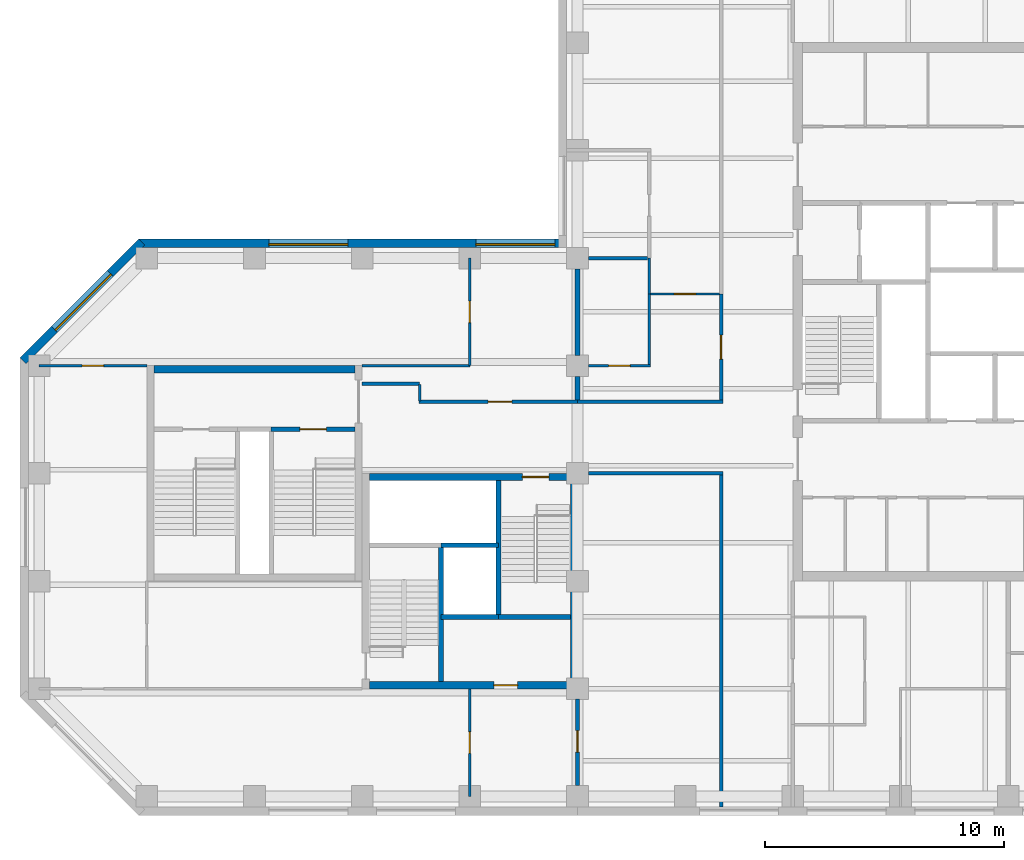
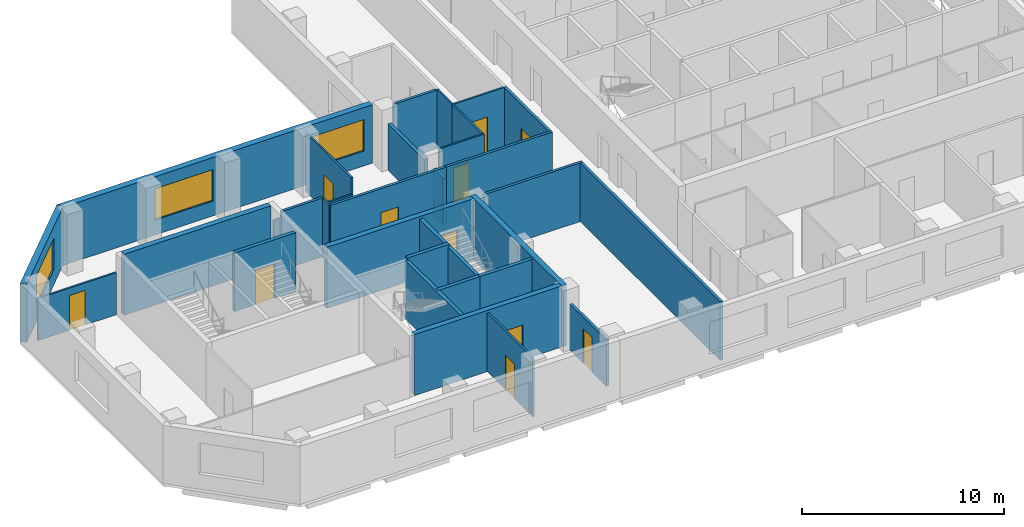
# One storey, part 3 of 10: 31 walls, 11 doors, 3 windows, 14 openings.
"""IFC4 building model written with IfcOpenShell, lengths in metres."""

from ifc_helpers import new_model, si_unit, direction, frame, frame_2d, origin, place, context, subcontext, project, spatial, rectangle, extrude, material, layer, layer_set, constituent, constituent_set, type_object, element, fill, save


model = new_model("IFC4")

# Units and contexts
model_context = context("Model", 3, precision=1e-05, world=origin(), true_north=direction((0.0, 1.0)))
body_context = subcontext(model_context, "Body", "Model", "MODEL_VIEW")
ifc_project = project(units=[si_unit("LENGTHUNIT", "METRE"), si_unit("AREAUNIT", "SQUARE_METRE"), si_unit("VOLUMEUNIT", "CUBIC_METRE"), si_unit("PLANEANGLEUNIT", "RADIAN"), si_unit("MASSUNIT", "GRAM", prefix="KILO")], contexts=[model_context])

# Site, building, storey
site_placement = place(None, origin())
site = spatial("IfcSite", under=ifc_project, at=site_placement, CompositionType="ELEMENT")
building_placement = place(site_placement, origin())
building = spatial("IfcBuilding", under=site, at=building_placement, Name="Quoin Convention Tower", CompositionType="ELEMENT")
storey_placement = place(building_placement, frame((0.0, 0.0, 195.800048828125)))
storey = spatial("IfcBuildingStorey", under=building, at=storey_placement, Name="L51", CompositionType="ELEMENT", Elevation=195.800048828125)

# Wall
ifc_material_1 = material(Name="Plasterboard")
ifc_layer_1 = layer(ifc_material_1, 0.012451171875, Name="Finish")
ifc_material_2 = material(Name="Steel stud framing", Category="steel")
ifc_layer_2 = layer(ifc_material_2, 0.125, Name="Structure")
ifc_layer_3 = layer(ifc_material_1, 0.012451171875, Name="Finish")
ifc_layer_set_1 = layer_set([ifc_layer_1, ifc_layer_2, ifc_layer_3], Name="Steel stud framing")
wall_type_1 = type_object("IfcWallType", Name="Acoustic partition 150", PredefinedType="PARTITIONING", material=ifc_layer_set_1)
wall_1_placement = place(storey_placement, frame((36.449951171875, 63.0, 0.0), z_axis=(0.0, 0.0, 1.0), x_axis=(1.0, 0.0, 0.0)))
element("IfcWall", 1, at=wall_1_placement, inside=storey, type_object=wall_type_1, Name="pw-L51-026", PredefinedType="PARTITIONING", context=body_context, shape_type="SweptSolid", body=[
    extrude(rectangle(XDim=2.47509765625, YDim=0.14990234375, at=frame_2d((1.237548828125, 0.0))), origin(), (0.0, 0.0, 1.0), 3.550048828125),
])

# Wall, openings, windows
ifc_material_3 = material(Name="Brick masonry", Category="masonry")
ifc_layer_4 = layer(ifc_material_3, 0.35009765625)
ifc_layer_set_2 = layer_set([ifc_layer_4], Name="Brick masonry")
wall_type_2 = type_object("IfcWallType", Name="Brick facade wall", PredefinedType="STANDARD", material=ifc_layer_set_2)
wall_2_placement = place(storey_placement, frame((35.550048828125, 63.625, 0.0), z_axis=(0.0, 0.0, 1.0), x_axis=(-1.0, 0.0, 0.0)))
wall_2 = element("IfcWall", 2, at=wall_2_placement, inside=storey, type_object=wall_type_2, Name="fw-L51-36000_63000", PredefinedType="STANDARD", context=body_context, shape_type="SweptSolid", body=[
    extrude(rectangle(XDim=17.88134765625, YDim=0.35009765625, at=frame_2d((8.940673828125, 0.0))), origin(), (0.0, 0.0, 1.0), 3.52490234375),
])
opening_1_placement = place(wall_2_placement, frame((0.5, 0.0, 0.89990234375)))
opening_1 = element("IfcOpeningElement", 3, at=opening_1_placement, cuts=wall_2, Name="Opening W-02", PredefinedType="OPENING", context=body_context, shape_type="SweptSolid", body=[
    extrude(rectangle(XDim=3.300048828125, YDim=1.89990234375, at=frame_2d((1.64990234375, 0.949951171875))), frame((0.0, 0.18505859375, 0.0), z_axis=(0.0, -1.0, 0.0), x_axis=(1.0, 0.0, 0.0)), (0.0, 0.0, 1.0), 0.3701171875),
])
opening_2_placement = place(wall_2_placement, frame((9.14990234375, 0.0, 0.89990234375)))
opening_2 = element("IfcOpeningElement", 4, at=opening_2_placement, cuts=wall_2, Name="Opening W-02", PredefinedType="OPENING", context=body_context, shape_type="SweptSolid", body=[
    extrude(rectangle(XDim=3.300048828125, YDim=1.89990234375, at=frame_2d((1.64990234375, 0.949951171875))), frame((0.0, 0.18505859375, 0.0), z_axis=(0.0, -1.0, 0.0), x_axis=(1.0, 0.0, 0.0)), (0.0, 0.0, 1.0), 0.3701171875),
])
ifc_material_4 = material(Name="Aluminium", Category="aluminium")
ifc_constituent_1 = constituent(ifc_material_4, Name="Frame")
ifc_material_5 = material(Name="Insulated glass", Category="glass")
ifc_constituent_2 = constituent(ifc_material_5, Name="Glazing")
ifc_constituent_set = constituent_set(constituents=[ifc_constituent_1, ifc_constituent_2], Name="Aluminium")
window_type = type_object("IfcWindowType", Name="Office window", PartitioningType="DOUBLE_PANEL_VERTICAL", PredefinedType="WINDOW", material=ifc_constituent_set)
window_1_placement = place(opening_1_placement, origin())
window_1 = element("IfcWindow", 5, at=window_1_placement, inside=storey, type_object=window_type, Name="win-L51-33750_63625", OverallHeight=1.89990234375, OverallWidth=3.300048828125, PartitioningType="SINGLE_PANEL", PredefinedType="WINDOW", context=body_context, shape_type="SweptSolid", body=[
    extrude(rectangle(XDim=3.300048828125, YDim=1.89990234375, at=frame_2d((1.64990234375, 0.949951171875))), frame((0.0, 0.0849609375, 0.0), z_axis=(0.0, -1.0, 0.0), x_axis=(1.0, 0.0, 0.0)), (0.0, 0.0, 1.0), 0.06005859375),
])
fill(opening_1, window_1)
window_2_placement = place(opening_2_placement, origin())
window_2 = element("IfcWindow", 6, at=window_2_placement, inside=storey, type_object=window_type, Name="win-L51-24750_63625", OverallHeight=1.89990234375, OverallWidth=3.300048828125, PartitioningType="SINGLE_PANEL", PredefinedType="WINDOW", context=body_context, shape_type="SweptSolid", body=[
    extrude(rectangle(XDim=3.300048828125, YDim=1.89990234375, at=frame_2d((1.64990234375, 0.949951171875))), frame((0.0, 0.0849609375, 0.0), z_axis=(0.0, -1.0, 0.0), x_axis=(1.0, 0.0, 0.0)), (0.0, 0.0, 1.0), 0.06005859375),
])
fill(opening_2, window_2)

# Wall, opening, window
wall_3_placement = place(storey_placement, frame((17.79248046875, 63.67626953125, 0.0), z_axis=(0.0, 0.0, 1.0), x_axis=(-0.707106781187, -0.707106781187, 0.0)))
wall_3 = element("IfcWall", 7, at=wall_3_placement, inside=storey, type_object=wall_type_2, Name="fw-L51-18000_63000", PredefinedType="STANDARD", context=body_context, shape_type="SweptSolid", body=[
    extrude(rectangle(XDim=7.02685546875, YDim=0.35009765625, at=frame_2d((3.513427734375, 0.0))), origin(), (0.0, 0.0, 1.0), 3.52490234375),
])
opening_3_placement = place(wall_3_placement, frame((1.86328125, 0.0, 0.89990234375)))
opening_3 = element("IfcOpeningElement", 8, at=opening_3_placement, cuts=wall_3, Name="Opening W-02", PredefinedType="OPENING", context=body_context, shape_type="SweptSolid", body=[
    extrude(rectangle(XDim=3.300048828125, YDim=1.89990234375, at=frame_2d((1.64990234375, 0.949951171875))), frame((0.0, 0.18505859375, 0.0), z_axis=(0.0, -1.0, 0.0), x_axis=(1.0, 0.0, 0.0)), (0.0, 0.0, 1.0), 0.3701171875),
])
window_3_placement = place(opening_3_placement, origin())
window_3 = element("IfcWindow", 9, at=window_3_placement, inside=storey, type_object=window_type, Name="win-L51-15308_61192", OverallHeight=1.89990234375, OverallWidth=3.300048828125, PartitioningType="SINGLE_PANEL", PredefinedType="WINDOW", context=body_context, shape_type="SweptSolid", body=[
    extrude(rectangle(XDim=3.300048828125, YDim=1.89990234375, at=frame_2d((1.64990234375, 0.949951171875))), frame((0.0, 0.0849609375, 0.0), z_axis=(0.0, -1.0, 0.0), x_axis=(1.0, 0.0, 0.0)), (0.0, 0.0, 1.0), 0.06005859375),
])
fill(opening_3, window_3)

# Walls
ifc_material_6 = material(Name="Concrete C50", Category="concrete")
ifc_layer_5 = layer(ifc_material_6, 0.199951171875)
ifc_layer_set_3 = layer_set([ifc_layer_5], Name="Concrete C50")
wall_type_3 = type_object("IfcWallType", Name="Core shaft wall", PredefinedType="SOLIDWALL", material=ifc_layer_set_3)
wall_4_placement = place(storey_placement, frame((30.300048828125, 48.0, 0.0), z_axis=(0.0, 0.0, 1.0), x_axis=(1.0, 0.0, 0.0)))
element("IfcWall", 10, at=wall_4_placement, inside=storey, type_object=wall_type_3, Name="cr-P2-L51-h3000_3300", PredefinedType="SOLIDWALL", context=body_context, shape_type="SweptSolid", body=[
    extrude(rectangle(XDim=2.39990234375, YDim=0.199951171875, at=frame_2d((1.199951171875, 0.0))), origin(), (0.0, 0.0, 1.0), 3.550048828125),
])
wall_5_placement = place(storey_placement, frame((32.699951171875, 48.0, 0.0), z_axis=(0.0, 0.0, 1.0), x_axis=(1.0, 0.0, 0.0)))
element("IfcWall", 11, at=wall_5_placement, inside=storey, type_object=wall_type_3, Name="cr-P2-L51-h3000_5700", PredefinedType="SOLIDWALL", context=body_context, shape_type="SweptSolid", body=[
    extrude(rectangle(XDim=3.0, YDim=0.199951171875, at=frame_2d((1.5, 0.0))), origin(), (0.0, 0.0, 1.0), 3.550048828125),
])
for number, where, z_axis, x_axis, name in (
    (12, (30.300048828125, 45.300048828125, 0.0), (0.0, 0.0, 1.0), (0.0, 1.0, 0.0), "cr-P2-L51-v3300_300"),
    (13, (32.699951171875, 48.0, 0.0), (0.0, 0.0, 1.0), (0.0, 1.0, 0.0), "cr-P2-L51-v5700_3000"),
):
    element("IfcWall", number, at=place(storey_placement, frame(where, z_axis=z_axis, x_axis=x_axis)), inside=storey, type_object=wall_type_3, Name=name, PredefinedType="SOLIDWALL", context=body_context, shape_type="SweptSolid", body=[
        extrude(rectangle(XDim=5.699951171875, YDim=0.199951171875, at=frame_2d((2.85009765625, 0.0))), origin(), (0.0, 0.0, 1.0), 3.550048828125),
    ])

# Wall, opening, door
wall_6_placement = place(storey_placement, frame((23.199951171875, 55.85009765625, 0.0), z_axis=(0.0, 0.0, 1.0), x_axis=(1.0, 0.0, 0.0)))
wall_6 = element("IfcWall", 14, at=wall_6_placement, inside=storey, type_object=wall_type_3, Name="cr-P6-L51-h6350_5200", PredefinedType="SOLIDWALL", context=body_context, shape_type="SweptSolid", body=[
    extrude(rectangle(XDim=3.5, YDim=0.199951171875, at=frame_2d((1.75, 0.0))), origin(), (0.0, 0.0, 1.0), 3.550048828125),
])
opening_4_placement = place(wall_6_placement, frame((1.199951171875, 0.0, 0.0)))
opening_4 = element("IfcOpeningElement", 15, at=opening_4_placement, cuts=wall_6, Name="Opening SD12", PredefinedType="OPENING", context=body_context, shape_type="SweptSolid", body=[
    extrude(rectangle(XDim=1.10009765625, YDim=2.10009765625, at=frame_2d((0.550048828125, 1.050048828125))), frame((0.0, 0.10986328125, 0.0), z_axis=(0.0, -1.0, 0.0), x_axis=(1.0, 0.0, 0.0)), (0.0, 0.0, 1.0), 0.219970703125),
])
ifc_material_7 = material(Name="Steel door leaf", Category="steel")
door_type_1 = type_object("IfcDoorType", Name="Stair door 1100 x 2100", OperationType="SINGLE_SWING_RIGHT", PredefinedType="DOOR", material=ifc_material_7)
door_1_placement = place(opening_4_placement, origin())
door_1 = element("IfcDoor", 16, at=door_1_placement, inside=storey, type_object=door_type_1, Name="cd-P6-L51-SB-R2-SD12", OperationType="SINGLE_SWING_RIGHT", OverallHeight=2.10009765625, OverallWidth=1.10009765625, PredefinedType="DOOR", context=body_context, shape_type="SweptSolid", body=[
    extrude(rectangle(XDim=1.10009765625, YDim=2.10009765625, at=frame_2d((0.550048828125, 1.050048828125))), frame((0.0, 0.02490234375, 0.0), z_axis=(0.0, -1.0, 0.0), x_axis=(1.0, 0.0, 0.0)), (0.0, 0.0, 1.0), 0.050048828125),
])
fill(opening_4, door_1)

# Walls
ifc_layer_6 = layer(ifc_material_6, 0.199951171875)
ifc_layer_set_4 = layer_set([ifc_layer_6], Name="Concrete C50")
wall_type_4 = type_object("IfcWallType", Name="Core shaft wall to the floor level over", PredefinedType="SOLIDWALL", material=ifc_layer_set_4)
wall_7_placement = place(storey_placement, frame((30.300048828125, 51.0, 0.0), z_axis=(0.0, 0.0, 1.0), x_axis=(1.0, 0.0, 0.0)))
element("IfcWall", 17, at=wall_7_placement, inside=storey, type_object=wall_type_4, Name="cr-P2-L51-h6000_3300", PredefinedType="SOLIDWALL", context=body_context, shape_type="SweptSolid", body=[
    extrude(rectangle(XDim=2.39990234375, YDim=0.199951171875, at=frame_2d((1.199951171875, 0.0))), origin(), (0.0, 0.0, 1.0), 3.699951171875),
])
ifc_layer_7 = layer(ifc_material_1, 0.012451171875, Name="Finish")
ifc_layer_8 = layer(ifc_material_2, 0.125, Name="Structure")
ifc_layer_9 = layer(ifc_material_1, 0.012451171875, Name="Finish")
ifc_layer_set_5 = layer_set([ifc_layer_7, ifc_layer_8, ifc_layer_9], Name="Steel stud framing")
wall_type_5 = type_object("IfcWallType", Name="Corridor wall 150", PredefinedType="PARTITIONING", material=ifc_layer_set_5)
wall_8_placement = place(storey_placement, frame((36.449951171875, 54.0, 0.0), z_axis=(0.0, 0.0, 1.0), x_axis=(1.0, 0.0, 0.0)))
element("IfcWall", 18, at=wall_8_placement, inside=storey, type_object=wall_type_5, Name="pw-L51-017", PredefinedType="PARTITIONING", context=body_context, shape_type="SweptSolid", body=[
    extrude(rectangle(XDim=5.625, YDim=0.14990234375, at=frame_2d((2.8125, 0.0))), origin(), (0.0, 0.0, 1.0), 3.550048828125),
])

# Wall, opening, door
wall_9_placement = place(storey_placement, frame((29.3798828125, 57.0, 0.0), z_axis=(0.0, 0.0, 1.0), x_axis=(1.0, 0.0, 0.0)))
wall_9 = element("IfcWall", 19, at=wall_9_placement, inside=storey, type_object=wall_type_5, Name="pw-L51-020", PredefinedType="PARTITIONING", context=body_context, shape_type="SweptSolid", body=[
    extrude(rectangle(XDim=6.6201171875, YDim=0.14990234375, at=frame_2d((3.31005859375, 0.0))), origin(), (0.0, 0.0, 1.0), 3.550048828125),
])
opening_5_placement = place(wall_9_placement, frame((2.8798828125, 0.0, 0.0)))
opening_5 = element("IfcOpeningElement", 20, at=opening_5_placement, cuts=wall_9, Name="Opening DOH7-06", PredefinedType="OPENING", context=body_context, shape_type="SweptSolid", body=[
    extrude(rectangle(XDim=1.0, YDim=2.10009765625, at=frame_2d((0.5, 1.050048828125))), frame((0.0, 0.0849609375, 0.0), z_axis=(0.0, -1.0, 0.0), x_axis=(1.0, 0.0, 0.0)), (0.0, 0.0, 1.0), 0.169921875),
])
door_type_2 = type_object("IfcDoorType", Name="Tenancy entrance door 1000 x 2100", OperationType="DOUBLE_DOOR_SINGLE_SWING", PredefinedType="DOOR", material=ifc_material_7)
door_2_placement = place(opening_5_placement, origin())
door_2 = element("IfcDoor", 21, at=door_2_placement, inside=storey, type_object=door_type_2, Name="dr-L51-w01", OperationType="DOUBLE_DOOR_SINGLE_SWING", OverallHeight=2.10009765625, OverallWidth=1.0, PredefinedType="DOOR", context=body_context, shape_type="SweptSolid", body=[
    extrude(rectangle(XDim=1.0, YDim=2.10009765625, at=frame_2d((0.5, 1.050048828125))), frame((0.0, 0.02490234375, 0.0), z_axis=(0.0, -1.0, 0.0), x_axis=(1.0, 0.0, 0.0)), (0.0, 0.0, 1.0), 0.050048828125),
])
fill(opening_5, door_2)

# Walls
wall_10_placement = place(storey_placement, frame((36.0, 57.0, 0.0), z_axis=(0.0, 0.0, 1.0), x_axis=(1.0, 0.0, 0.0)))
element("IfcWall", 22, at=wall_10_placement, inside=storey, type_object=wall_type_5, Name="pw-L51-021", PredefinedType="PARTITIONING", context=body_context, shape_type="SweptSolid", body=[
    extrude(rectangle(XDim=6.074951171875, YDim=0.14990234375, at=frame_2d((3.03759765625, 0.0))), origin(), (0.0, 0.0, 1.0), 3.550048828125),
])
wall_11_placement = place(storey_placement, frame((42.0, 40.050048828125, 0.0), z_axis=(0.0, 0.0, 1.0), x_axis=(0.0, 1.0, 0.0)))
element("IfcWall", 23, at=wall_11_placement, inside=storey, type_object=wall_type_5, Name="pw-L51-039", PredefinedType="PARTITIONING", context=body_context, shape_type="SweptSolid", body=[
    extrude(rectangle(XDim=13.875, YDim=0.14990234375, at=frame_2d((6.9375, 0.0))), origin(), (0.0, 0.0, 1.0), 3.550048828125),
])

# Wall, opening, door
wall_12_placement = place(storey_placement, frame((42.0, 57.074951171875, 0.0), z_axis=(0.0, 0.0, 1.0), x_axis=(0.0, 1.0, 0.0)))
wall_12 = element("IfcWall", 24, at=wall_12_placement, inside=storey, type_object=wall_type_5, Name="pw-L51-068", PredefinedType="PARTITIONING", context=body_context, shape_type="SweptSolid", body=[
    extrude(rectangle(XDim=4.425048828125, YDim=0.14990234375, at=frame_2d((2.21240234375, 0.0))), origin(), (0.0, 0.0, 1.0), 3.550048828125),
])
opening_6_placement = place(wall_12_placement, frame((1.699951171875, 0.0, 0.0)))
opening_6 = element("IfcOpeningElement", 25, at=opening_6_placement, cuts=wall_12, Name="Opening DOH7-21", PredefinedType="OPENING", context=body_context, shape_type="SweptSolid", body=[
    extrude(rectangle(XDim=1.0, YDim=2.10009765625, at=frame_2d((0.5, 1.050048828125))), frame((0.0, 0.0849609375, 0.0), z_axis=(0.0, -1.0, 0.0), x_axis=(1.0, 0.0, 0.0)), (0.0, 0.0, 1.0), 0.169921875),
])
door_3_placement = place(opening_6_placement, origin())
door_3 = element("IfcDoor", 26, at=door_3_placement, inside=storey, type_object=door_type_2, Name="dr-L51-07", OperationType="DOUBLE_DOOR_SINGLE_SWING", OverallHeight=2.10009765625, OverallWidth=1.0, PredefinedType="DOOR", context=body_context, shape_type="SweptSolid", body=[
    extrude(rectangle(XDim=1.0, YDim=2.10009765625, at=frame_2d((0.5, 1.050048828125))), frame((0.0, 0.02490234375, 0.0), z_axis=(0.0, -1.0, 0.0), x_axis=(1.0, 0.0, 0.0)), (0.0, 0.0, 1.0), 0.050048828125),
])
fill(opening_6, door_3)

# Wall
wall_13_placement = place(storey_placement, frame((27.0, 57.75, 0.0), z_axis=(0.0, 0.0, 1.0), x_axis=(1.0, 0.0, 0.0)))
element("IfcWall", 27, at=wall_13_placement, inside=storey, type_object=wall_type_5, Name="pw-L51-w08", PredefinedType="PARTITIONING", context=body_context, shape_type="SweptSolid", body=[
    extrude(rectangle(XDim=2.39990234375, YDim=0.14990234375, at=frame_2d((1.199951171875, 0.0))), origin(), (0.0, 0.0, 1.0), 3.550048828125),
])

# Wall, opening, door
ifc_layer_10 = layer(ifc_material_1, 0.012451171875, Name="Finish")
ifc_layer_11 = layer(ifc_material_2, 0.125, Name="Structure")
ifc_layer_12 = layer(ifc_material_1, 0.012451171875, Name="Finish")
ifc_layer_set_6 = layer_set([ifc_layer_10, ifc_layer_11, ifc_layer_12], Name="Steel stud framing")
wall_type_6 = type_object("IfcWallType", Name="Corridor wall 150 under beam 750", PredefinedType="PARTITIONING", material=ifc_layer_set_6)
wall_14_placement = place(storey_placement, frame((36.0, 40.949951171875, 0.0), z_axis=(0.0, 0.0, 1.0), x_axis=(0.0, 1.0, 0.0)))
wall_14 = element("IfcWall", 28, at=wall_14_placement, inside=storey, type_object=wall_type_6, Name="pw-L51-047", PredefinedType="PARTITIONING", context=body_context, shape_type="SweptSolid", body=[
    extrude(rectangle(XDim=3.630126953125, YDim=0.14990234375, at=frame_2d((1.81494140625, 0.0))), origin(), (0.0, 0.0, 1.0), 2.800048828125),
])
opening_7_placement = place(wall_14_placement, frame((1.39990234375, 0.0, 0.0)))
opening_7 = element("IfcOpeningElement", 29, at=opening_7_placement, cuts=wall_14, Name="Opening DOH7-14", PredefinedType="OPENING", context=body_context, shape_type="SweptSolid", body=[
    extrude(rectangle(XDim=0.89990234375, YDim=2.10009765625, at=frame_2d((0.449951171875, 1.050048828125))), frame((0.0, 0.0849609375, 0.0), z_axis=(0.0, -1.0, 0.0), x_axis=(1.0, 0.0, 0.0)), (0.0, 0.0, 1.0), 0.169921875),
])
door_type_3 = type_object("IfcDoorType", Name="Office door 900 x 2100", OperationType="SINGLE_SWING_RIGHT", PredefinedType="DOOR", material=ifc_material_7)
door_4_placement = place(opening_7_placement, frame((0.89990234375, 0.0, 0.0), z_axis=(0.0, 0.0, 1.0), x_axis=(-1.0, 0.0, 0.0)))
door_4 = element("IfcDoor", 30, at=door_4_placement, inside=storey, type_object=door_type_3, Name="dr-L51-01", OperationType="SINGLE_SWING_LEFT", OverallHeight=2.10009765625, OverallWidth=0.89990234375, PredefinedType="DOOR", context=body_context, shape_type="SweptSolid", body=[
    extrude(rectangle(XDim=0.89990234375, YDim=2.10009765625, at=frame_2d((0.449951171875, 1.050048828125))), frame((0.0, 0.02490234375, 0.0), z_axis=(0.0, -1.0, 0.0), x_axis=(1.0, 0.0, 0.0)), (0.0, 0.0, 1.0), 0.050048828125),
])
fill(opening_7, door_4)

ifc_layer_13 = layer(ifc_material_6, 0.300048828125)
ifc_layer_set_7 = layer_set([ifc_layer_13], Name="Concrete C50")
wall_type_7 = type_object("IfcWallType", Name="RC CORE WALL 300 C50", PredefinedType="SHEAR", material=ifc_layer_set_7)
wall_15_placement = place(storey_placement, frame((27.300048828125, 45.14990234375, 0.0), z_axis=(0.0, 0.0, 1.0), x_axis=(1.0, 0.0, 0.0)))
wall_15 = element("IfcWall", 31, at=wall_15_placement, inside=storey, type_object=wall_type_7, Name="cwl-P2-L51-S", PredefinedType="SHEAR", context=body_context, shape_type="SweptSolid", body=[
    extrude(rectangle(XDim=8.39990234375, YDim=0.300048828125, at=frame_2d((4.199951171875, 0.0))), origin(), (0.0, 0.0, 1.0), 3.699951171875),
])
opening_8_placement = place(wall_15_placement, frame((5.199951171875, 0.0, 0.0)))
opening_8 = element("IfcOpeningElement", 32, at=opening_8_placement, cuts=wall_15, Name="Opening DCV5-51", PredefinedType="OPENING", context=body_context, shape_type="SweptSolid", body=[
    extrude(rectangle(XDim=1.0, YDim=2.10009765625, at=frame_2d((0.5, 1.050048828125))), frame((0.0, 0.159912109375, 0.0), z_axis=(0.0, -1.0, 0.0), x_axis=(1.0, 0.0, 0.0)), (0.0, 0.0, 1.0), 0.320068359375),
])
door_type_4 = type_object("IfcDoorType", Name="Service door 1000 x 2100", OperationType="SINGLE_SWING_LEFT", PredefinedType="DOOR", material=ifc_material_7)
door_5_placement = place(opening_8_placement, frame((1.0, 0.0, 0.0), z_axis=(0.0, 0.0, 1.0), x_axis=(-1.0, 0.0, 0.0)))
door_5 = element("IfcDoor", 33, at=door_5_placement, inside=storey, type_object=door_type_4, Name="cd-P2-L51-R2-S", OperationType="SINGLE_SWING_RIGHT", OverallHeight=2.10009765625, OverallWidth=1.0, PredefinedType="DOOR", context=body_context, shape_type="SweptSolid", body=[
    extrude(rectangle(XDim=1.0, YDim=2.10009765625, at=frame_2d((0.5, 1.050048828125))), frame((0.0, 0.02490234375, 0.0), z_axis=(0.0, -1.0, 0.0), x_axis=(1.0, 0.0, 0.0)), (0.0, 0.0, 1.0), 0.050048828125),
])
fill(opening_8, door_5)

wall_16_placement = place(storey_placement, frame((27.300048828125, 53.85009765625, 0.0), z_axis=(0.0, 0.0, 1.0), x_axis=(1.0, 0.0, 0.0)))
wall_16 = element("IfcWall", 34, at=wall_16_placement, inside=storey, type_object=wall_type_7, Name="cwl-P2-L51-N", PredefinedType="SHEAR", context=body_context, shape_type="SweptSolid", body=[
    extrude(rectangle(XDim=8.39990234375, YDim=0.300048828125, at=frame_2d((4.199951171875, 0.0))), origin(), (0.0, 0.0, 1.0), 3.699951171875),
])
opening_9_placement = place(wall_16_placement, frame((6.39990234375, 0.0, 0.0)))
opening_9 = element("IfcOpeningElement", 35, at=opening_9_placement, cuts=wall_16, Name="Opening SD4", PredefinedType="OPENING", context=body_context, shape_type="SweptSolid", body=[
    extrude(rectangle(XDim=1.10009765625, YDim=2.10009765625, at=frame_2d((0.550048828125, 1.050048828125))), frame((0.0, 0.159912109375, 0.0), z_axis=(0.0, -1.0, 0.0), x_axis=(1.0, 0.0, 0.0)), (0.0, 0.0, 1.0), 0.320068359375),
])
door_6_placement = place(opening_9_placement, frame((1.10009765625, 0.0, 0.0), z_axis=(0.0, 0.0, 1.0), x_axis=(-1.0, 0.0, 0.0)))
door_6 = element("IfcDoor", 36, at=door_6_placement, inside=storey, type_object=door_type_1, Name="cd-P2-L51-SB-N", OperationType="SINGLE_SWING_LEFT", OverallHeight=2.10009765625, OverallWidth=1.10009765625, PredefinedType="DOOR", context=body_context, shape_type="SweptSolid", body=[
    extrude(rectangle(XDim=1.10009765625, YDim=2.10009765625, at=frame_2d((0.550048828125, 1.050048828125))), frame((0.0, 0.02490234375, 0.0), z_axis=(0.0, -1.0, 0.0), x_axis=(1.0, 0.0, 0.0)), (0.0, 0.0, 1.0), 0.050048828125),
])
fill(opening_9, door_6)

# Walls
wall_17_placement = place(storey_placement, frame((35.85009765625, 45.0, 0.0), z_axis=(0.0, 0.0, 1.0), x_axis=(0.0, 1.0, 0.0)))
element("IfcWall", 37, at=wall_17_placement, inside=storey, type_object=wall_type_7, Name="cwl-P2-L51-E", PredefinedType="SHEAR", context=body_context, shape_type="SweptSolid", body=[
    extrude(rectangle(XDim=9.0, YDim=0.300048828125, at=frame_2d((4.5, 0.0))), origin(), (0.0, 0.0, 1.0), 3.699951171875),
])
wall_18_placement = place(storey_placement, frame((18.300048828125, 58.35009765625, 0.0), z_axis=(0.0, 0.0, 1.0), x_axis=(1.0, 0.0, 0.0)))
element("IfcWall", 38, at=wall_18_placement, inside=storey, type_object=wall_type_7, Name="cwl-P6-L51-N", PredefinedType="SHEAR", context=body_context, shape_type="SweptSolid", body=[
    extrude(rectangle(XDim=8.39990234375, YDim=0.300048828125, at=frame_2d((4.199951171875, 0.0))), origin(), (0.0, 0.0, 1.0), 3.699951171875),
])

# Wall, opening, door
ifc_layer_14 = layer(ifc_material_1, 0.012451171875, Name="Finish")
ifc_layer_15 = layer(ifc_material_2, 0.074951171875, Name="Structure")
ifc_layer_16 = layer(ifc_material_1, 0.012451171875, Name="Finish")
ifc_layer_set_8 = layer_set([ifc_layer_14, ifc_layer_15, ifc_layer_16], Name="Steel stud framing")
wall_type_8 = type_object("IfcWallType", Name="Stud partition 100", PredefinedType="PARTITIONING", material=ifc_layer_set_8)
wall_19_placement = place(storey_placement, frame((36.449951171875, 58.5, 0.0), z_axis=(0.0, 0.0, 1.0), x_axis=(1.0, 0.0, 0.0)))
wall_19 = element("IfcWall", 39, at=wall_19_placement, inside=storey, type_object=wall_type_8, Name="pw-L51-022", PredefinedType="PARTITIONING", context=body_context, shape_type="SweptSolid", body=[
    extrude(rectangle(XDim=2.60009765625, YDim=0.10009765625, at=frame_2d((1.300048828125, 0.0))), origin(), (0.0, 0.0, 1.0), 3.550048828125),
])
opening_10_placement = place(wall_19_placement, frame((0.85009765625, 0.0, 0.0)))
opening_10 = element("IfcOpeningElement", 40, at=opening_10_placement, cuts=wall_19, Name="Opening DOH7-07", PredefinedType="OPENING", context=body_context, shape_type="SweptSolid", body=[
    extrude(rectangle(XDim=0.89990234375, YDim=2.10009765625, at=frame_2d((0.449951171875, 1.050048828125))), frame((0.0, 0.06005859375, 0.0), z_axis=(0.0, -1.0, 0.0), x_axis=(1.0, 0.0, 0.0)), (0.0, 0.0, 1.0), 0.1201171875),
])
door_7_placement = place(opening_10_placement, frame((0.89990234375, 0.0, 0.0), z_axis=(0.0, 0.0, 1.0), x_axis=(-1.0, 0.0, 0.0)))
door_7 = element("IfcDoor", 41, at=door_7_placement, inside=storey, type_object=door_type_3, Name="dr-L51-09", OperationType="SINGLE_SWING_LEFT", OverallHeight=2.10009765625, OverallWidth=0.89990234375, PredefinedType="DOOR", context=body_context, shape_type="SweptSolid", body=[
    extrude(rectangle(XDim=0.89990234375, YDim=2.10009765625, at=frame_2d((0.449951171875, 1.050048828125))), frame((0.0, 0.02490234375, 0.0), z_axis=(0.0, -1.0, 0.0), x_axis=(1.0, 0.0, 0.0)), (0.0, 0.0, 1.0), 0.050048828125),
])
fill(opening_10, door_7)

wall_20_placement = place(storey_placement, frame((39.050048828125, 61.5, 0.0), z_axis=(0.0, 0.0, 1.0), x_axis=(1.0, 0.0, 0.0)))
wall_20 = element("IfcWall", 42, at=wall_20_placement, inside=storey, type_object=wall_type_8, Name="pw-L51-025", PredefinedType="PARTITIONING", context=body_context, shape_type="SweptSolid", body=[
    extrude(rectangle(XDim=2.875, YDim=0.10009765625, at=frame_2d((1.4375, 0.0))), origin(), (0.0, 0.0, 1.0), 3.550048828125),
])
opening_11_placement = place(wall_20_placement, frame((1.0, 0.0, 0.0)))
opening_11 = element("IfcOpeningElement", 43, at=opening_11_placement, cuts=wall_20, Name="Opening DOH7-08", PredefinedType="OPENING", context=body_context, shape_type="SweptSolid", body=[
    extrude(rectangle(XDim=0.89990234375, YDim=2.10009765625, at=frame_2d((0.449951171875, 1.050048828125))), frame((0.0, 0.06005859375, 0.0), z_axis=(0.0, -1.0, 0.0), x_axis=(1.0, 0.0, 0.0)), (0.0, 0.0, 1.0), 0.1201171875),
])
door_8_placement = place(opening_11_placement, origin())
door_8 = element("IfcDoor", 44, at=door_8_placement, inside=storey, type_object=door_type_3, Name="dr-L51-08", OperationType="SINGLE_SWING_RIGHT", OverallHeight=2.10009765625, OverallWidth=0.89990234375, PredefinedType="DOOR", context=body_context, shape_type="SweptSolid", body=[
    extrude(rectangle(XDim=0.89990234375, YDim=2.10009765625, at=frame_2d((0.449951171875, 1.050048828125))), frame((0.0, 0.02490234375, 0.0), z_axis=(0.0, -1.0, 0.0), x_axis=(1.0, 0.0, 0.0)), (0.0, 0.0, 1.0), 0.050048828125),
])
fill(opening_11, door_8)

# Walls
wall_21_placement = place(storey_placement, frame((39.0, 58.550048828125, 0.0), z_axis=(0.0, 0.0, 1.0), x_axis=(0.0, 1.0, 0.0)))
element("IfcWall", 45, at=wall_21_placement, inside=storey, type_object=wall_type_8, Name="pw-L51-070", PredefinedType="PARTITIONING", context=body_context, shape_type="SweptSolid", body=[
    extrude(rectangle(XDim=2.949951171875, YDim=0.10009765625, at=frame_2d((1.47509765625, 0.0))), origin(), (0.0, 0.0, 1.0), 3.550048828125),
])
wall_22_placement = place(storey_placement, frame((39.0, 61.5, 0.0), z_axis=(0.0, 0.0, 1.0), x_axis=(0.0, 1.0, 0.0)))
element("IfcWall", 46, at=wall_22_placement, inside=storey, type_object=wall_type_8, Name="pw-L51-074", PredefinedType="PARTITIONING", context=body_context, shape_type="SweptSolid", body=[
    extrude(rectangle(XDim=1.5, YDim=0.10009765625, at=frame_2d((0.75, 0.0))), origin(), (0.0, 0.0, 1.0), 3.550048828125),
])

# Wall, opening, door
wall_23_placement = place(storey_placement, frame((31.5, 63.0, 0.0), z_axis=(0.0, 0.0, 1.0), x_axis=(0.0, -1.0, 0.0)))
wall_23 = element("IfcWall", 47, at=wall_23_placement, inside=storey, type_object=wall_type_8, Name="pw-L51-w01", PredefinedType="PARTITIONING", context=body_context, shape_type="SweptSolid", body=[
    extrude(rectangle(XDim=4.5, YDim=0.10009765625, at=frame_2d((2.25, 0.0))), origin(), (0.0, 0.0, 1.0), 3.550048828125),
])
opening_12_placement = place(wall_23_placement, frame((1.800048828125, 0.0, 0.0)))
opening_12 = element("IfcOpeningElement", 48, at=opening_12_placement, cuts=wall_23, Name="Opening DOH7-30", PredefinedType="OPENING", context=body_context, shape_type="SweptSolid", body=[
    extrude(rectangle(XDim=0.89990234375, YDim=2.10009765625, at=frame_2d((0.449951171875, 1.050048828125))), frame((0.0, 0.06005859375, 0.0), z_axis=(0.0, -1.0, 0.0), x_axis=(1.0, 0.0, 0.0)), (0.0, 0.0, 1.0), 0.1201171875),
])
door_9_placement = place(opening_12_placement, frame((0.89990234375, 0.0, 0.0), z_axis=(0.0, 0.0, 1.0), x_axis=(-1.0, 0.0, 0.0)))
door_9 = element("IfcDoor", 49, at=door_9_placement, inside=storey, type_object=door_type_3, Name="dr-L51-w02", OperationType="SINGLE_SWING_LEFT", OverallHeight=2.10009765625, OverallWidth=0.89990234375, PredefinedType="DOOR", context=body_context, shape_type="SweptSolid", body=[
    extrude(rectangle(XDim=0.89990234375, YDim=2.10009765625, at=frame_2d((0.449951171875, 1.050048828125))), frame((0.0, 0.02490234375, 0.0), z_axis=(0.0, -1.0, 0.0), x_axis=(1.0, 0.0, 0.0)), (0.0, 0.0, 1.0), 0.050048828125),
])
fill(opening_12, door_9)

wall_24_placement = place(storey_placement, frame((31.5, 45.0, 0.0), z_axis=(0.0, 0.0, 1.0), x_axis=(0.0, -1.0, 0.0)))
wall_24 = element("IfcWall", 50, at=wall_24_placement, inside=storey, type_object=wall_type_8, Name="pw-L51-w07", PredefinedType="PARTITIONING", context=body_context, shape_type="SweptSolid", body=[
    extrude(rectangle(XDim=4.5, YDim=0.10009765625, at=frame_2d((2.25, 0.0))), origin(), (0.0, 0.0, 1.0), 3.550048828125),
])
opening_13_placement = place(wall_24_placement, frame((1.800048828125, 0.0, 0.0)))
opening_13 = element("IfcOpeningElement", 51, at=opening_13_placement, cuts=wall_24, Name="Opening DOH7-34", PredefinedType="OPENING", context=body_context, shape_type="SweptSolid", body=[
    extrude(rectangle(XDim=0.89990234375, YDim=2.10009765625, at=frame_2d((0.449951171875, 1.050048828125))), frame((0.0, 0.06005859375, 0.0), z_axis=(0.0, -1.0, 0.0), x_axis=(1.0, 0.0, 0.0)), (0.0, 0.0, 1.0), 0.1201171875),
])
door_10_placement = place(opening_13_placement, frame((0.89990234375, 0.0, 0.0), z_axis=(0.0, 0.0, 1.0), x_axis=(-1.0, 0.0, 0.0)))
door_10 = element("IfcDoor", 52, at=door_10_placement, inside=storey, type_object=door_type_3, Name="dr-L51-w06", OperationType="SINGLE_SWING_RIGHT", OverallHeight=2.10009765625, OverallWidth=0.89990234375, PredefinedType="DOOR", context=body_context, shape_type="SweptSolid", body=[
    extrude(rectangle(XDim=0.89990234375, YDim=2.10009765625, at=frame_2d((0.449951171875, 1.050048828125))), frame((0.0, 0.02490234375, 0.0), z_axis=(0.0, -1.0, 0.0), x_axis=(1.0, 0.0, 0.0)), (0.0, 0.0, 1.0), 0.050048828125),
])
fill(opening_13, door_10)

# Walls
wall_25_placement = place(storey_placement, frame((29.39990234375, 57.715087890625, 0.0), z_axis=(0.0, 0.0, 1.0), x_axis=(0.0, -1.0, 0.0)))
element("IfcWall", 53, at=wall_25_placement, inside=storey, type_object=wall_type_8, Name="pw-L51-w09", PredefinedType="PARTITIONING", context=body_context, shape_type="SweptSolid", body=[
    extrude(rectangle(XDim=0.68017578125, YDim=0.10009765625, at=frame_2d((0.340087890625, 0.0))), origin(), (0.0, 0.0, 1.0), 3.550048828125),
])
ifc_layer_17 = layer(ifc_material_1, 0.012451171875, Name="Finish")
ifc_layer_18 = layer(ifc_material_2, 0.074951171875, Name="Structure")
ifc_layer_19 = layer(ifc_material_1, 0.012451171875, Name="Finish")
ifc_layer_set_9 = layer_set([ifc_layer_17, ifc_layer_18, ifc_layer_19], Name="Steel stud framing")
wall_type_9 = type_object("IfcWallType", Name="Stud partition 100 under beam 1000", PredefinedType="PARTITIONING", material=ifc_layer_set_9)
wall_26_placement = place(storey_placement, frame((31.5, 58.5, 0.0), z_axis=(0.0, 0.0, 1.0), x_axis=(-1.0, 0.0, 0.0)))
element("IfcWall", 54, at=wall_26_placement, inside=storey, type_object=wall_type_9, Name="pw-L51-w02", PredefinedType="PARTITIONING", context=body_context, shape_type="SweptSolid", body=[
    extrude(rectangle(XDim=4.5, YDim=0.10009765625, at=frame_2d((2.25, 0.0))), origin(), (0.0, 0.0, 1.0), 2.550048828125),
])

# Wall, opening, door
wall_27_placement = place(storey_placement, frame((13.5, 58.5, 0.0), z_axis=(0.0, 0.0, 1.0), x_axis=(1.0, 0.0, 0.0)))
wall_27 = element("IfcWall", 55, at=wall_27_placement, inside=storey, type_object=wall_type_9, Name="pw-L51-w03", PredefinedType="PARTITIONING", context=body_context, shape_type="SweptSolid", body=[
    extrude(rectangle(XDim=4.5, YDim=0.10009765625, at=frame_2d((2.25, 0.0))), origin(), (0.0, 0.0, 1.0), 2.550048828125),
])
opening_14_placement = place(wall_27_placement, frame((1.800048828125, 0.0, 0.0)))
opening_14 = element("IfcOpeningElement", 56, at=opening_14_placement, cuts=wall_27, Name="Opening DOH7-31", PredefinedType="OPENING", context=body_context, shape_type="SweptSolid", body=[
    extrude(rectangle(XDim=0.89990234375, YDim=2.10009765625, at=frame_2d((0.449951171875, 1.050048828125))), frame((0.0, 0.06005859375, 0.0), z_axis=(0.0, -1.0, 0.0), x_axis=(1.0, 0.0, 0.0)), (0.0, 0.0, 1.0), 0.1201171875),
])
door_11_placement = place(opening_14_placement, origin())
door_11 = element("IfcDoor", 57, at=door_11_placement, inside=storey, type_object=door_type_3, Name="dr-L51-w03", OperationType="SINGLE_SWING_RIGHT", OverallHeight=2.10009765625, OverallWidth=0.89990234375, PredefinedType="DOOR", context=body_context, shape_type="SweptSolid", body=[
    extrude(rectangle(XDim=0.89990234375, YDim=2.10009765625, at=frame_2d((0.449951171875, 1.050048828125))), frame((0.0, 0.02490234375, 0.0), z_axis=(0.0, -1.0, 0.0), x_axis=(1.0, 0.0, 0.0)), (0.0, 0.0, 1.0), 0.050048828125),
])
fill(opening_14, door_11)

# Walls
ifc_layer_20 = layer(ifc_material_1, 0.012451171875, Name="Finish")
ifc_layer_21 = layer(ifc_material_2, 0.175048828125, Name="Structure")
ifc_layer_22 = layer(ifc_material_1, 0.012451171875, Name="Finish")
ifc_layer_set_10 = layer_set([ifc_layer_20, ifc_layer_21, ifc_layer_22], Name="Steel stud framing")
wall_type_10 = type_object("IfcWallType", Name="Tenancy demising wall 200 under beam 750", PredefinedType="PARTITIONING", material=ifc_layer_set_10)
wall_28_placement = place(storey_placement, frame((36.0, 57.074951171875, 0.0), z_axis=(0.0, 0.0, 1.0), x_axis=(0.0, 1.0, 0.0)))
element("IfcWall", 58, at=wall_28_placement, inside=storey, type_object=wall_type_10, Name="pw-L51-067", PredefinedType="PARTITIONING", context=body_context, shape_type="SweptSolid", body=[
    extrude(rectangle(XDim=0.97509765625, YDim=0.199951171875, at=frame_2d((0.487548828125, 0.0))), origin(), (0.0, 0.0, 1.0), 2.800048828125),
])
wall_29_placement = place(storey_placement, frame((36.0, 58.919921875, 0.0), z_axis=(0.0, 0.0, 1.0), x_axis=(0.0, 1.0, 0.0)))
element("IfcWall", 59, at=wall_29_placement, inside=storey, type_object=wall_type_10, Name="pw-L51-071", PredefinedType="PARTITIONING", context=body_context, shape_type="SweptSolid", body=[
    extrude(rectangle(XDim=3.630126953125, YDim=0.199951171875, at=frame_2d((1.81494140625, 0.0))), origin(), (0.0, 0.0, 1.0), 2.800048828125),
])

save(model, "model.ifc")
